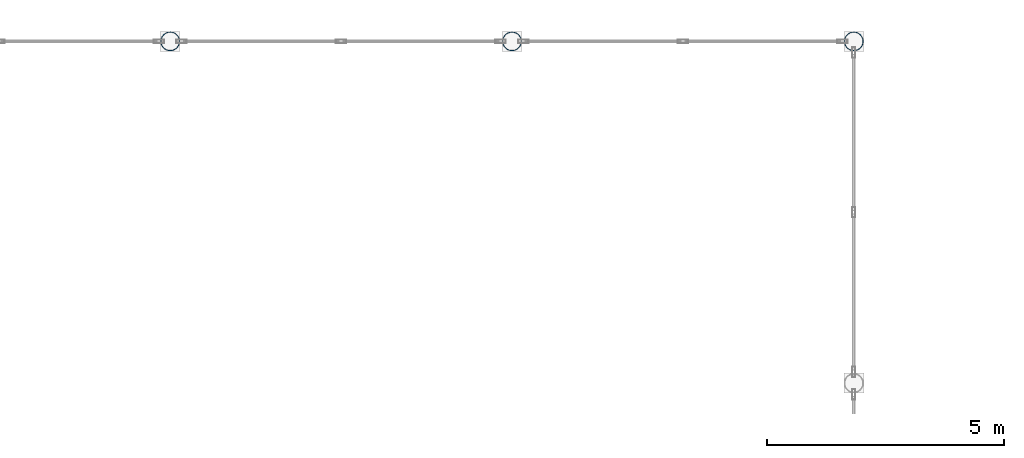
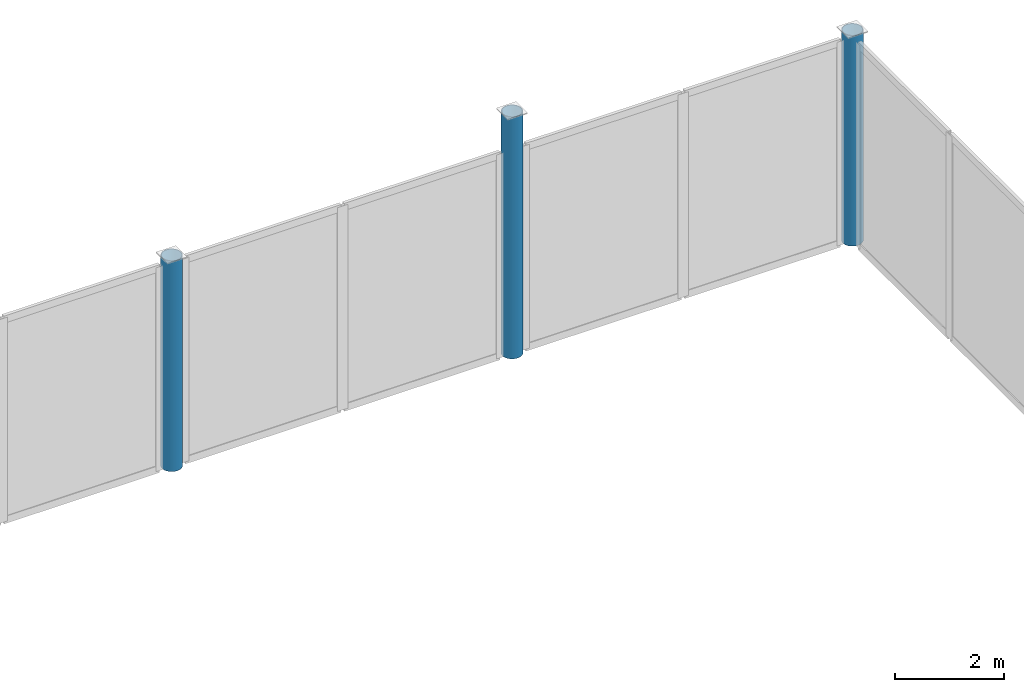
# One storey, part 17 of 120: 3 columns.
"""IFC4 building model written with IfcOpenShell, lengths in metres."""

from ifc_helpers import new_model, si_unit, direction, frame, origin, origin_2d, place, context, subcontext, project, spatial, hollow_circle, extrude, material, material_profile, profile_set, type_object, element, save


model = new_model("IFC4")

# Units and contexts
model_context = context("Model", 3, precision=1e-05, world=origin(), true_north=direction((0.0, 1.0)))
body_context = subcontext(model_context, "Body", "Model", "MODEL_VIEW")
ifc_project = project(units=[si_unit("LENGTHUNIT", "METRE"), si_unit("AREAUNIT", "SQUARE_METRE"), si_unit("VOLUMEUNIT", "CUBIC_METRE"), si_unit("PLANEANGLEUNIT", "RADIAN"), si_unit("MASSUNIT", "GRAM", prefix="KILO")], contexts=[model_context])

# Site, building, storey
site_placement = place(None, origin())
site = spatial("IfcSite", under=ifc_project, at=site_placement, CompositionType="ELEMENT")
building_placement = place(site_placement, origin())
building = spatial("IfcBuilding", under=site, at=building_placement, Name="Vesperath Aquatics Centre", CompositionType="ELEMENT")
storey_placement = place(building_placement, frame((0.0, 0.0, 10.199951171875)))
storey = spatial("IfcBuildingStorey", under=building, at=storey_placement, Name="L02", CompositionType="ELEMENT", Elevation=10.199951171875)

# Columns
ifc_material = material(Name="Steel Q355D", Category="steel")
ifc_material_profile = material_profile(ifc_material, hollow_circle(Radius=0.203125, WallThickness=0.01611328125, at=origin_2d()), Name="CHS 406.4x16")
ifc_profile_set = profile_set([ifc_material_profile], Name="Steel Q355D")
column_type = type_object("IfcColumnType", Name="CL-C14", PredefinedType="COLUMN", material=ifc_profile_set)
column_1_placement = place(storey_placement, frame((129.60009765625, 115.199951171875, 0.0), z_axis=(0.0, 0.0, 1.0), x_axis=(1.0, 0.0, 0.0)))
element("IfcColumn", 1, at=column_1_placement, inside=storey, type_object=column_type, Name="Column C14 L02 19/S", PredefinedType="COLUMN", context=body_context, shape_type="SweptSolid", body=[
    extrude(hollow_circle(Radius=0.203125, WallThickness=0.01611328125, at=origin_2d()), origin(), (0.0, 0.0, 1.0), 4.705078125),
])
column_2_placement = place(storey_placement, frame((136.800048828125, 115.199951171875, 0.0), z_axis=(0.0, 0.0, 1.0), x_axis=(1.0, 0.0, 0.0)))
element("IfcColumn", 2, at=column_2_placement, inside=storey, type_object=column_type, Name="Column C14 L02 20/S", PredefinedType="COLUMN", context=body_context, shape_type="SweptSolid", body=[
    extrude(hollow_circle(Radius=0.203125, WallThickness=0.01611328125, at=origin_2d()), origin(), (0.0, 0.0, 1.0), 5.405029296875),
])
column_3_placement = place(storey_placement, frame((144.0, 115.199951171875, 0.0), z_axis=(0.0, 0.0, 1.0), x_axis=(1.0, 0.0, 0.0)))
element("IfcColumn", 3, at=column_3_placement, inside=storey, type_object=column_type, Name="Column C14 L02 21/S", PredefinedType="COLUMN", context=body_context, shape_type="SweptSolid", body=[
    extrude(hollow_circle(Radius=0.203125, WallThickness=0.01611328125, at=origin_2d()), origin(), (0.0, 0.0, 1.0), 4.705078125),
])

save(model, "model.ifc")
